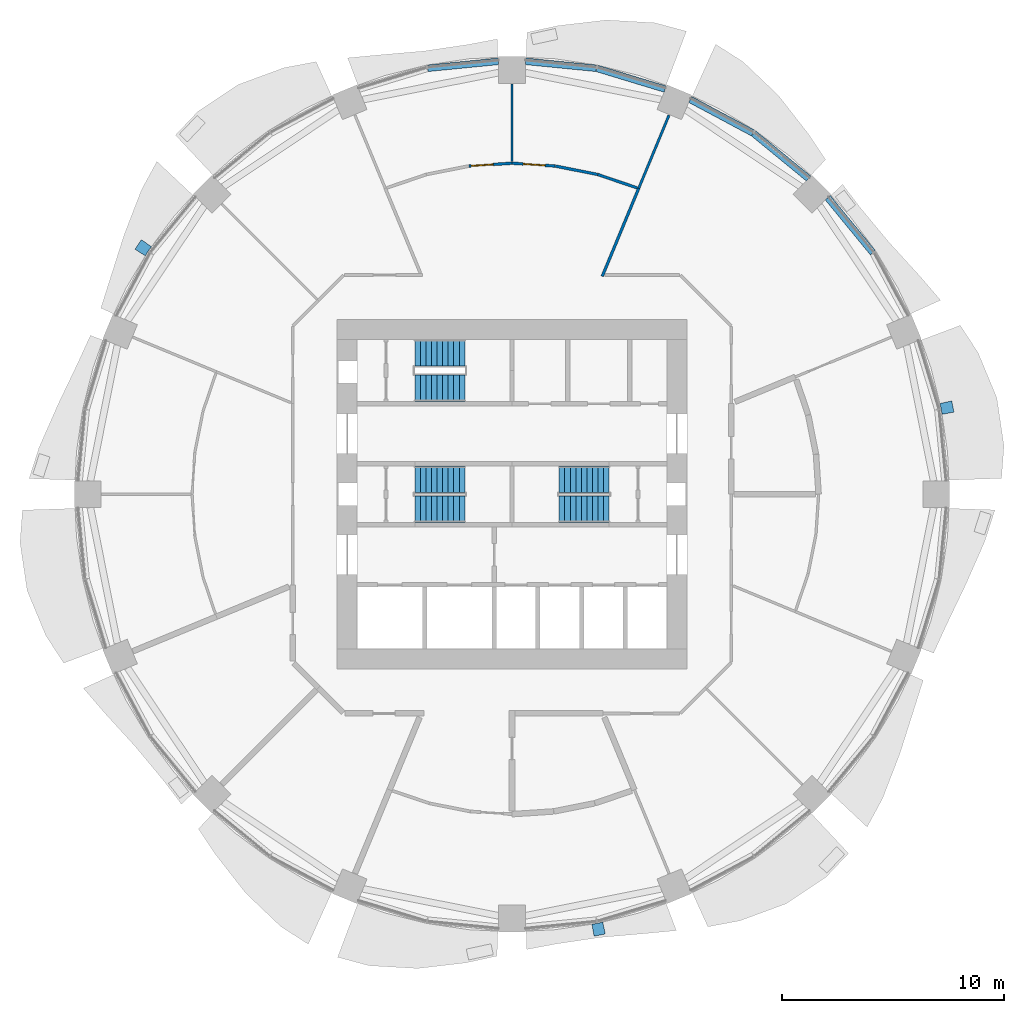
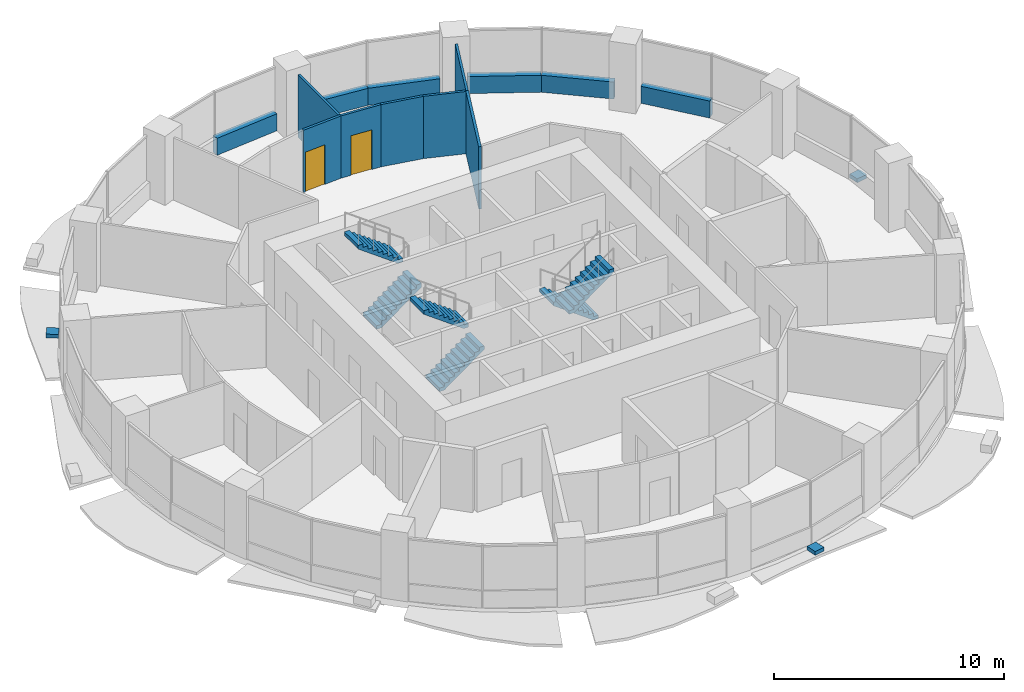
# One storey, part 11 of 15: 13 walls, 6 stair flights, 3 discrete accessories, 2 doors, 2 openings, 3 elements without a shape of their own.
"""IFC4 building model written with IfcOpenShell, lengths in metres."""

from ifc_helpers import new_model, si_unit, direction, frame, frame_2d, origin, place, context, subcontext, project, spatial, polyline, rectangle, outline, extrude, material, layer, layer_set, type_object, element, fill, aggregate, save


model = new_model("IFC4")

# Units and contexts
model_context = context("Model", 3, precision=1e-05, world=origin(), true_north=direction((0.0, 1.0)))
body_context = subcontext(model_context, "Body", "Model", "MODEL_VIEW")
ifc_project = project(units=[si_unit("LENGTHUNIT", "METRE"), si_unit("AREAUNIT", "SQUARE_METRE"), si_unit("VOLUMEUNIT", "CUBIC_METRE"), si_unit("PLANEANGLEUNIT", "RADIAN"), si_unit("MASSUNIT", "GRAM", prefix="KILO")], contexts=[model_context])

# Site, building, storey
site_placement = place(None, origin())
site = spatial("IfcSite", under=ifc_project, at=site_placement, CompositionType="ELEMENT")
building_placement = place(site_placement, origin())
building = spatial("IfcBuilding", under=site, at=building_placement, Name="Polderwave Tower", CompositionType="ELEMENT")
storey_placement = place(building_placement, frame((0.0, 0.0, 40.800048828125)))
storey = spatial("IfcBuildingStorey", under=building, at=storey_placement, Name="L10", CompositionType="ELEMENT", Elevation=40.800048828125)

# Walls
ifc_material_1 = material(Name="Concrete C50/60 (board-marked)", Category="concrete")
ifc_layer_1 = layer(ifc_material_1, 0.300048828125)
ifc_layer_set_1 = layer_set([ifc_layer_1], Name="Concrete spandrel upstand C50/60")
wall_type_1 = type_object("IfcWallType", Name="Concrete spandrel upstand C50/60", PredefinedType="SOLIDWALL", material=ifc_layer_set_1)
for number, where, z_axis, x_axis, name in (
    (1, (16.25341796875, 10.878662109375, 0.0), (0.0, 0.0, 1.0), (-0.634233658611, 0.773141427091, 0.0), "Spandrel L10 2b"),
    (2, (13.3544921875, 14.222412109375, 0.0), (0.0, 0.0, 1.0), (-0.773141427091, 0.634233658611, 0.0), "Spandrel L10 3a"),
):
    element("IfcWall", number, at=place(storey_placement, frame(where, z_axis=z_axis, x_axis=x_axis)), inside=storey, type_object=wall_type_1, Name=name, PredefinedType="SOLIDWALL", context=body_context, shape_type="SweptSolid", body=[
        extrude(rectangle(XDim=3.202392578125, YDim=0.300048828125, at=frame_2d((1.60107421875, 0.0))), origin(), (0.0, 0.0, 1.0), 0.89990234375),
    ])
wall_1_placement = place(storey_placement, frame((10.853759765625, 16.27001953125, 0.0), z_axis=(0.0, 0.0, 1.0), x_axis=(-0.881981372243, 0.471284265614, 0.0)))
element("IfcWall", 3, at=wall_1_placement, inside=storey, type_object=wall_type_1, Name="Spandrel L10 3b", PredefinedType="SOLIDWALL", context=body_context, shape_type="SweptSolid", body=[
    extrude(rectangle(XDim=3.20361328125, YDim=0.300048828125, at=frame_2d((1.601806640625, 0.0))), origin(), (0.0, 0.0, 1.0), 0.89990234375),
])
wall_2_placement = place(storey_placement, frame((6.89453125, 18.24951171875, 0.0), z_axis=(0.0, 0.0, 1.0), x_axis=(-0.956883225512, 0.290472877795, 0.0)))
element("IfcWall", 4, at=wall_2_placement, inside=storey, type_object=wall_type_1, Name="Spandrel L10 4a", PredefinedType="SOLIDWALL", context=body_context, shape_type="SweptSolid", body=[
    extrude(rectangle(XDim=3.202392578125, YDim=0.300048828125, at=frame_2d((1.60107421875, 0.0))), origin(), (0.0, 0.0, 1.0), 0.89990234375),
])
for number, where, z_axis, x_axis, name in (
    (5, (3.801025390625, 19.185546875, 0.0), (0.0, 0.0, 1.0), (-0.995186207606, 0.098002102993, 0.0), "Spandrel L10 4b"),
    (6, (-0.61279296875, 19.49951171875, 0.0), (0.0, 0.0, 1.0), (-0.995186207606, -0.098002102993, 0.0), "Spandrel L10 5a"),
):
    element("IfcWall", number, at=place(storey_placement, frame(where, z_axis=z_axis, x_axis=x_axis)), inside=storey, type_object=wall_type_1, Name=name, PredefinedType="SOLIDWALL", context=body_context, shape_type="SweptSolid", body=[
        extrude(rectangle(XDim=3.20361328125, YDim=0.300048828125, at=frame_2d((1.601806640625, 0.0))), origin(), (0.0, 0.0, 1.0), 0.89990234375),
    ])
ifc_material_2 = material(Name="Fire-resisting board on steel studs", Category="steel")
ifc_layer_2 = layer(ifc_material_2, 0.125)
ifc_layer_set_2 = layer_set([ifc_layer_2], Name="Corridor wall 125 mm EI 60")
wall_type_2 = type_object("IfcWallType", Name="Corridor wall 125 mm EI 60", PredefinedType="PARTITIONING", material=ifc_layer_set_2)
wall_3_placement = place(storey_placement, frame((4.06591796875, 9.81640625, 0.0), z_axis=(0.0, 0.0, 1.0), x_axis=(0.382709065586, 0.923868914467, 0.0)))
element("IfcWall", 7, at=wall_3_placement, inside=storey, type_object=wall_type_2, Name="IN-L10-W032", PredefinedType="PARTITIONING", context=body_context, shape_type="SweptSolid", body=[
    extrude(rectangle(XDim=4.284912109375, YDim=0.125, at=frame_2d((2.142578125, 0.0))), origin(), (0.0, 0.0, 1.0), 3.300048828125),
])

# Wall, opening, door
wall_4_placement = place(storey_placement, frame((0.0, 14.909912109375, 0.0), z_axis=(0.0, 0.0, 1.0), x_axis=(0.997861646388, -0.065361568741, 0.0)))
wall_4 = element("IfcWall", 8, at=wall_4_placement, inside=storey, type_object=wall_type_2, Name="IN-L10-W033", PredefinedType="PARTITIONING", context=body_context, shape_type="SweptSolid", body=[
    extrude(rectangle(XDim=1.946044921875, YDim=0.125, at=frame_2d((0.97314453125, 0.0))), origin(), (0.0, 0.0, 1.0), 3.300048828125),
])
opening_1_placement = place(wall_4_placement, frame((0.5, 0.0, 0.0)))
opening_1 = element("IfcOpeningElement", 9, at=opening_1_placement, cuts=wall_4, Name="Opening L10-D61", PredefinedType="OPENING", context=body_context, shape_type="SweptSolid", body=[
    extrude(rectangle(XDim=1.0, YDim=2.10009765625, at=frame_2d((0.5, 1.050048828125))), frame((0.0, 0.072509765625, 0.0), z_axis=(0.0, -1.0, 0.0), x_axis=(1.0, 0.0, 0.0)), (0.0, 0.0, 1.0), 0.14501953125),
])
ifc_material_3 = material(Name="Timber fire door leaf", Category="wood")
door_type = type_object("IfcDoorType", Name="Fire door FD30S 1000 x 2100", OperationType="NOTDEFINED", PredefinedType="DOOR", material=ifc_material_3)
door_1_placement = place(opening_1_placement, origin())
door_1 = element("IfcDoor", 10, at=door_1_placement, inside=storey, type_object=door_type, Name="Door L10-D61", OperationType="SINGLE_SWING_RIGHT", OverallHeight=2.10009765625, OverallWidth=1.0, PredefinedType="DOOR", context=body_context, shape_type="SweptSolid", body=[
    extrude(rectangle(XDim=1.0, YDim=2.10009765625, at=frame_2d((0.5, 1.050048828125))), frame((0.0, 0.02490234375, 0.0), z_axis=(0.0, -1.0, 0.0), x_axis=(1.0, 0.0, 0.0)), (0.0, 0.0, 1.0), 0.050048828125),
])
fill(opening_1, door_1)

# Walls
wall_5_placement = place(storey_placement, frame((3.85498046875, 14.40283203125, 0.0), z_axis=(0.0, 0.0, 1.0), x_axis=(-0.980807266515, 0.194979757801, 0.0)))
element("IfcWall", 11, at=wall_5_placement, inside=storey, type_object=wall_type_2, Name="IN-L10-W034", PredefinedType="PARTITIONING", context=body_context, shape_type="SweptSolid", body=[
    extrude(rectangle(XDim=1.942138671875, YDim=0.125, at=frame_2d((0.97119140625, 0.0))), origin(), (0.0, 0.0, 1.0), 3.300048828125),
])
wall_6_placement = place(storey_placement, frame((5.642578125, 13.79638671875, 0.0), z_axis=(0.0, 0.0, 1.0), x_axis=(-0.946915165682, 0.321483543904, 0.0)))
element("IfcWall", 12, at=wall_6_placement, inside=storey, type_object=wall_type_2, Name="IN-L10-W035", PredefinedType="PARTITIONING", context=body_context, shape_type="SweptSolid", body=[
    extrude(rectangle(XDim=1.879638671875, YDim=0.125, at=frame_2d((0.93994140625, 0.0))), origin(), (0.0, 0.0, 1.0), 3.300048828125),
])

# Wall, opening, door
wall_7_placement = place(storey_placement, frame((-1.94189453125, 14.78271484375, 0.0), z_axis=(0.0, 0.0, 1.0), x_axis=(0.997861646388, 0.065361568741, 0.0)))
wall_7 = element("IfcWall", 13, at=wall_7_placement, inside=storey, type_object=wall_type_2, Name="IN-L10-W039", PredefinedType="PARTITIONING", context=body_context, shape_type="SweptSolid", body=[
    extrude(rectangle(XDim=1.946044921875, YDim=0.125, at=frame_2d((0.97314453125, 0.0))), origin(), (0.0, 0.0, 1.0), 3.300048828125),
])
opening_2_placement = place(wall_7_placement, frame((0.10009765625, 0.0, 0.0)))
opening_2 = element("IfcOpeningElement", 14, at=opening_2_placement, cuts=wall_7, Name="Opening L10-D62", PredefinedType="OPENING", context=body_context, shape_type="SweptSolid", body=[
    extrude(rectangle(XDim=1.0, YDim=2.10009765625, at=frame_2d((0.5, 1.050048828125))), frame((0.0, 0.072509765625, 0.0), z_axis=(0.0, -1.0, 0.0), x_axis=(1.0, 0.0, 0.0)), (0.0, 0.0, 1.0), 0.14501953125),
])
door_2_placement = place(opening_2_placement, origin())
door_2 = element("IfcDoor", 15, at=door_2_placement, inside=storey, type_object=door_type, Name="Door L10-D62", OperationType="SINGLE_SWING_LEFT", OverallHeight=2.10009765625, OverallWidth=1.0, PredefinedType="DOOR", context=body_context, shape_type="SweptSolid", body=[
    extrude(rectangle(XDim=1.0, YDim=2.10009765625, at=frame_2d((0.5, 1.050048828125))), frame((0.0, 0.02490234375, 0.0), z_axis=(0.0, -1.0, 0.0), x_axis=(1.0, 0.0, 0.0)), (0.0, 0.0, 1.0), 0.050048828125),
])
fill(opening_2, door_2)

# Walls
ifc_material_4 = material(Name="Acoustic double plasterboard on steel studs", Category="steel")
ifc_layer_3 = layer(ifc_material_4, 0.110107421875)
ifc_layer_set_3 = layer_set([ifc_layer_3], Name="Partition 110 mm acoustic double board")
wall_type_3 = type_object("IfcWallType", Name="Partition 110 mm acoustic double board", PredefinedType="PARTITIONING", material=ifc_layer_set_3)
wall_8_placement = place(storey_placement, frame((5.705810546875, 13.775146484375, 0.0), z_axis=(0.0, 0.0, 1.0), x_axis=(0.382706138858, 0.923870126847, 0.0)))
element("IfcWall", 16, at=wall_8_placement, inside=storey, type_object=wall_type_3, Name="IN-L10-W031", PredefinedType="PARTITIONING", context=body_context, shape_type="SweptSolid", body=[
    extrude(rectangle(XDim=3.56982421875, YDim=0.110107421875, at=frame_2d((1.784912109375, 0.0))), origin(), (0.0, 0.0, 1.0), 3.300048828125),
])
wall_9_placement = place(storey_placement, frame((0.0, 14.976318359375, 0.0), z_axis=(0.0, 0.0, 1.0), x_axis=(0.0, 1.0, 0.0)))
element("IfcWall", 17, at=wall_9_placement, inside=storey, type_object=wall_type_3, Name="IN-L10-W036", PredefinedType="PARTITIONING", context=body_context, shape_type="SweptSolid", body=[
    extrude(rectangle(XDim=3.503662109375, YDim=0.110107421875, at=frame_2d((1.751953125, 0.0))), origin(), (0.0, 0.0, 1.0), 3.300048828125),
])

# Stair, stair flights
ifc_material_5 = material(Name="Concrete C40/50", Category="concrete")
stair_type = type_object("IfcStairType", Name="Exit stair 1200 x 20 risers", PredefinedType="HALF_TURN_STAIR", material=ifc_material_5)
stair_1_placement = place(storey_placement, origin())
stair_1 = element("IfcStair", 18, at=stair_1_placement, inside=storey, type_object=stair_type, Name="L10 Exit stair A", PredefinedType="HALF_TURN_STAIR")
stair_flight_type = type_object("IfcStairFlightType", Name="Stair flight 1200", PredefinedType="STRAIGHT", material=ifc_material_5)
stair_flight_1_placement = place(storey_placement, frame((-4.3740234375, -0.675048828125, 0.0), z_axis=(0.0, 0.0, 1.0), x_axis=(1.0, 0.0, 0.0)))
stair_flight_1 = element("IfcStairFlight", 19, at=stair_flight_1_placement, type_object=stair_flight_type, Name="ST-A flight 1", NumberOfRisers=10, NumberOfTreads=9, PredefinedType="STRAIGHT", RiserHeight=0.1825, TreadLength=0.25, context=body_context, shape_type="SweptSolid", body=[
    extrude(outline(polyline([(0.0, 0.0), (0.0, 0.1826171875), (0.25, 0.1826171875), (0.25, 0.364990234375), (0.5, 0.364990234375), (0.5, 0.547607421875), (0.75, 0.547607421875), (0.75, 0.72998046875), (1.0, 0.72998046875), (1.0, 0.91259765625), (1.25, 0.91259765625), (1.25, 1.094970703125), (1.5, 1.094970703125), (1.5, 1.277587890625), (1.75, 1.277587890625), (1.75, 1.4599609375), (2.0, 1.4599609375), (2.0, 1.642578125), (2.25, 1.642578125), (2.25, 1.824951171875), (2.25, 1.456787109375), (0.254150390625, 0.0), (0.0, 0.0)])), frame((0.0, 0.60009765625, 0.0), z_axis=(0.0, -1.0, 0.0), x_axis=(1.0, 0.0, 0.0)), (0.0, 0.0, 1.0), 1.199951171875),
])
stair_flight_2_placement = place(storey_placement, frame((-2.1240234375, 0.675048828125, 1.824951171875), z_axis=(0.0, 0.0, 1.0), x_axis=(-1.0, 0.0, 0.0)))
stair_flight_2 = element("IfcStairFlight", 20, at=stair_flight_2_placement, type_object=stair_flight_type, Name="ST-A flight 2", NumberOfRisers=10, NumberOfTreads=9, PredefinedType="STRAIGHT", RiserHeight=0.1825, TreadLength=0.25, context=body_context, shape_type="SweptSolid", body=[
    extrude(outline(polyline([(0.0, 0.0), (0.0, 0.1826171875), (0.25, 0.1826171875), (0.25, 0.364990234375), (0.5, 0.364990234375), (0.5, 0.547607421875), (0.75, 0.547607421875), (0.75, 0.72998046875), (1.0, 0.72998046875), (1.0, 0.91259765625), (1.25, 0.91259765625), (1.25, 1.094970703125), (1.5, 1.094970703125), (1.5, 1.277587890625), (1.75, 1.277587890625), (1.75, 1.4599609375), (2.0, 1.4599609375), (2.0, 1.642578125), (2.25, 1.642578125), (2.25, 1.824951171875), (2.25, 1.456787109375), (0.254150390625, 0.0), (0.0, 0.0)])), frame((0.0, 0.60009765625, 0.0), z_axis=(0.0, -1.0, 0.0), x_axis=(1.0, 0.0, 0.0)), (0.0, 0.0, 1.0), 1.199951171875),
])
aggregate(stair_1, [stair_flight_1, stair_flight_2])

stair_2_placement = place(storey_placement, origin())
stair_2 = element("IfcStair", 21, at=stair_2_placement, inside=storey, type_object=stair_type, Name="L10 Exit stair B", PredefinedType="HALF_TURN_STAIR")
stair_flight_3_placement = place(storey_placement, frame((4.3740234375, 0.675048828125, 0.0), z_axis=(0.0, 0.0, 1.0), x_axis=(-1.0, 0.0, 0.0)))
stair_flight_3 = element("IfcStairFlight", 22, at=stair_flight_3_placement, type_object=stair_flight_type, Name="ST-B flight 1", NumberOfRisers=10, NumberOfTreads=9, PredefinedType="STRAIGHT", RiserHeight=0.1825, TreadLength=0.25, context=body_context, shape_type="SweptSolid", body=[
    extrude(outline(polyline([(0.0, 0.0), (0.0, 0.1826171875), (0.25, 0.1826171875), (0.25, 0.364990234375), (0.5, 0.364990234375), (0.5, 0.547607421875), (0.75, 0.547607421875), (0.75, 0.72998046875), (1.0, 0.72998046875), (1.0, 0.91259765625), (1.25, 0.91259765625), (1.25, 1.094970703125), (1.5, 1.094970703125), (1.5, 1.277587890625), (1.75, 1.277587890625), (1.75, 1.4599609375), (2.0, 1.4599609375), (2.0, 1.642578125), (2.25, 1.642578125), (2.25, 1.824951171875), (2.25, 1.456787109375), (0.254150390625, 0.0), (0.0, 0.0)])), frame((0.0, 0.60009765625, 0.0), z_axis=(0.0, -1.0, 0.0), x_axis=(1.0, 0.0, 0.0)), (0.0, 0.0, 1.0), 1.199951171875),
])
stair_flight_4_placement = place(storey_placement, frame((2.1240234375, -0.675048828125, 1.824951171875), z_axis=(0.0, 0.0, 1.0), x_axis=(1.0, 0.0, 0.0)))
stair_flight_4 = element("IfcStairFlight", 23, at=stair_flight_4_placement, type_object=stair_flight_type, Name="ST-B flight 2", NumberOfRisers=10, NumberOfTreads=9, PredefinedType="STRAIGHT", RiserHeight=0.1825, TreadLength=0.25, context=body_context, shape_type="SweptSolid", body=[
    extrude(outline(polyline([(0.0, 0.0), (0.0, 0.1826171875), (0.25, 0.1826171875), (0.25, 0.364990234375), (0.5, 0.364990234375), (0.5, 0.547607421875), (0.75, 0.547607421875), (0.75, 0.72998046875), (1.0, 0.72998046875), (1.0, 0.91259765625), (1.25, 0.91259765625), (1.25, 1.094970703125), (1.5, 1.094970703125), (1.5, 1.277587890625), (1.75, 1.277587890625), (1.75, 1.4599609375), (2.0, 1.4599609375), (2.0, 1.642578125), (2.25, 1.642578125), (2.25, 1.824951171875), (2.25, 1.456787109375), (0.254150390625, 0.0), (0.0, 0.0)])), frame((0.0, 0.60009765625, 0.0), z_axis=(0.0, -1.0, 0.0), x_axis=(1.0, 0.0, 0.0)), (0.0, 0.0, 1.0), 1.199951171875),
])
aggregate(stair_2, [stair_flight_3, stair_flight_4])

stair_3_placement = place(storey_placement, origin())
stair_3 = element("IfcStair", 24, at=stair_3_placement, inside=storey, type_object=stair_type, Name="L10 Exit stair C", PredefinedType="HALF_TURN_STAIR")
stair_flight_5_placement = place(storey_placement, frame((-4.3740234375, 4.77392578125, 0.0), z_axis=(0.0, 0.0, 1.0), x_axis=(1.0, 0.0, 0.0)))
stair_flight_5 = element("IfcStairFlight", 25, at=stair_flight_5_placement, type_object=stair_flight_type, Name="ST-C flight 1", NumberOfRisers=10, NumberOfTreads=9, PredefinedType="STRAIGHT", RiserHeight=0.1825, TreadLength=0.25, context=body_context, shape_type="SweptSolid", body=[
    extrude(outline(polyline([(0.0, 0.0), (0.0, 0.1826171875), (0.25, 0.1826171875), (0.25, 0.364990234375), (0.5, 0.364990234375), (0.5, 0.547607421875), (0.75, 0.547607421875), (0.75, 0.72998046875), (1.0, 0.72998046875), (1.0, 0.91259765625), (1.25, 0.91259765625), (1.25, 1.094970703125), (1.5, 1.094970703125), (1.5, 1.277587890625), (1.75, 1.277587890625), (1.75, 1.4599609375), (2.0, 1.4599609375), (2.0, 1.642578125), (2.25, 1.642578125), (2.25, 1.824951171875), (2.25, 1.456787109375), (0.254150390625, 0.0), (0.0, 0.0)])), frame((0.0, 0.60009765625, 0.0), z_axis=(0.0, -1.0, 0.0), x_axis=(1.0, 0.0, 0.0)), (0.0, 0.0, 1.0), 1.199951171875),
])
stair_flight_6_placement = place(storey_placement, frame((-2.1240234375, 6.3740234375, 1.824951171875), z_axis=(0.0, 0.0, 1.0), x_axis=(-1.0, 0.0, 0.0)))
stair_flight_6 = element("IfcStairFlight", 26, at=stair_flight_6_placement, type_object=stair_flight_type, Name="ST-C flight 2", NumberOfRisers=10, NumberOfTreads=9, PredefinedType="STRAIGHT", RiserHeight=0.1825, TreadLength=0.25, context=body_context, shape_type="SweptSolid", body=[
    extrude(outline(polyline([(0.0, 0.0), (0.0, 0.1826171875), (0.25, 0.1826171875), (0.25, 0.364990234375), (0.5, 0.364990234375), (0.5, 0.547607421875), (0.75, 0.547607421875), (0.75, 0.72998046875), (1.0, 0.72998046875), (1.0, 0.91259765625), (1.25, 0.91259765625), (1.25, 1.094970703125), (1.5, 1.094970703125), (1.5, 1.277587890625), (1.75, 1.277587890625), (1.75, 1.4599609375), (2.0, 1.4599609375), (2.0, 1.642578125), (2.25, 1.642578125), (2.25, 1.824951171875), (2.25, 1.456787109375), (0.254150390625, 0.0), (0.0, 0.0)])), frame((0.0, 0.60009765625, 0.0), z_axis=(0.0, -1.0, 0.0), x_axis=(1.0, 0.0, 0.0)), (0.0, 0.0, 1.0), 1.199951171875),
])
aggregate(stair_3, [stair_flight_5, stair_flight_6])

# Discrete accessories
ifc_material_6 = material(Name="Steel S355", Category="steel")
discrete_accessory_type = type_object("IfcDiscreteAccessoryType", Name="Band bracket pad", PredefinedType="BRACKET", material=ifc_material_6)
discrete_accessory_1_placement = place(storey_placement, frame((0.0, 0.0, -0.199951171875)))
element("IfcDiscreteAccessory", 27, at=discrete_accessory_1_placement, inside=storey, type_object=discrete_accessory_type, Name="Band bracket L10 1", PredefinedType="BRACKET", context=body_context, shape_type="SweptSolid", body=[
    extrude(outline(polyline([(19.367919921875, 3.597900390625), (19.331298828125, 3.84521484375), (19.2705078125, 4.087646484375), (19.80859375, 4.201904296875), (19.90869140625, 3.698486328125), (19.367919921875, 3.597900390625)])), origin(), (0.0, 0.0, 1.0), 0.199951171875),
])
discrete_accessory_2_placement = place(storey_placement, frame((0.0, 0.0, -0.199951171875)))
element("IfcDiscreteAccessory", 28, at=discrete_accessory_2_placement, inside=storey, type_object=discrete_accessory_type, Name="Band bracket L10 7", PredefinedType="BRACKET", context=body_context, shape_type="SweptSolid", body=[
    extrude(outline(polyline([(-16.2392578125, 11.151123046875), (-16.38818359375, 10.9501953125), (-16.516845703125, 10.73583984375), (-16.977783203125, 11.03564453125), (-16.692626953125, 11.46240234375), (-16.2392578125, 11.151123046875)])), origin(), (0.0, 0.0, 1.0), 0.199951171875),
])
discrete_accessory_3_placement = place(storey_placement, frame((0.0, 0.0, -0.199951171875)))
element("IfcDiscreteAccessory", 29, at=discrete_accessory_3_placement, inside=storey, type_object=discrete_accessory_type, Name="Band bracket L10 13", PredefinedType="BRACKET", context=body_context, shape_type="SweptSolid", body=[
    extrude(outline(polyline([(3.597900390625, -19.367919921875), (3.84521484375, -19.331298828125), (4.087646484375, -19.2705078125), (4.201904296875, -19.80859375), (3.698486328125, -19.90869140625), (3.597900390625, -19.367919921875)])), origin(), (0.0, 0.0, 1.0), 0.199951171875),
])

save(model, "model.ifc")
